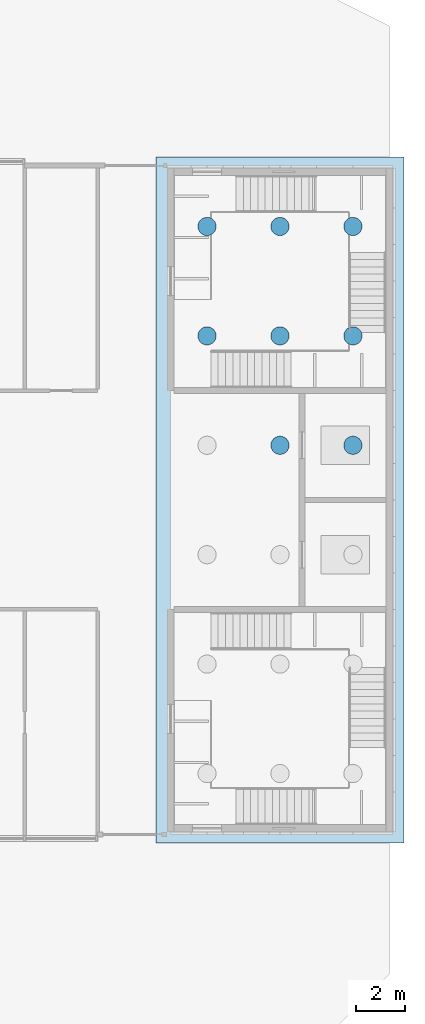
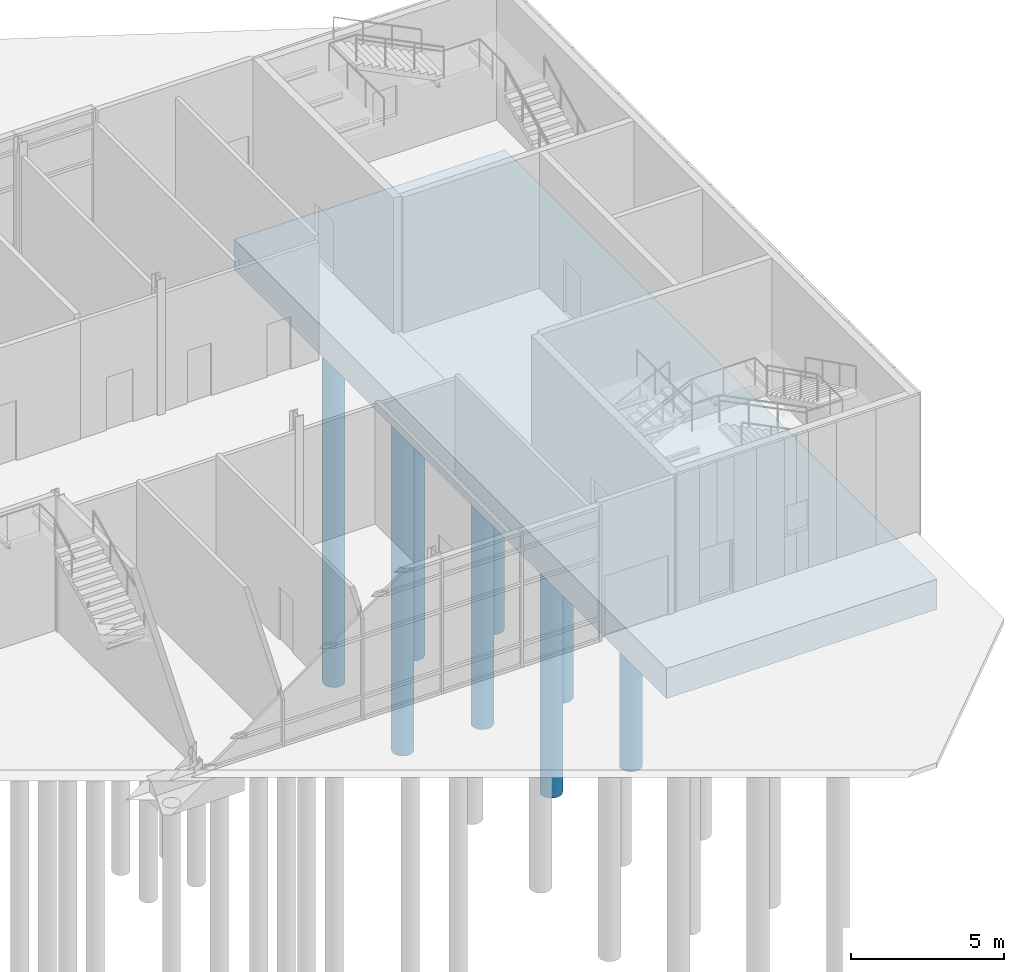
# One storey, part 3 of 45: 8 piles, 1 footing.
"""IFC4 building model written with IfcOpenShell, lengths in metres."""

from ifc_helpers import new_model, si_unit, direction, frame, origin, origin_2d, place, context, subcontext, project, spatial, rectangle, circle, extrude, material, layer, layer_set, material_profile, profile_set, type_object, element, save


model = new_model("IFC4")

# Units and contexts
model_context = context("Model", 3, precision=1e-05, world=origin(), true_north=direction((0.0, 1.0)))
body_context = subcontext(model_context, "Body", "Model", "MODEL_VIEW")
ifc_project = project(units=[si_unit("LENGTHUNIT", "METRE"), si_unit("AREAUNIT", "SQUARE_METRE"), si_unit("VOLUMEUNIT", "CUBIC_METRE"), si_unit("PLANEANGLEUNIT", "RADIAN"), si_unit("MASSUNIT", "GRAM", prefix="KILO")], contexts=[model_context])

# Site, building, storey
site_placement = place(None, origin())
site = spatial("IfcSite", under=ifc_project, at=site_placement, CompositionType="ELEMENT")
building_placement = place(site_placement, origin())
building = spatial("IfcBuilding", under=site, at=building_placement, Name="Azimuth Sports and Learning Centre", CompositionType="ELEMENT")
storey_placement = place(building_placement, origin())
storey = spatial("IfcBuildingStorey", under=building, at=storey_placement, Name="L00", CompositionType="ELEMENT", Elevation=0.0)

# Piles
ifc_material_1 = material(Name="Concrete C35/45", Category="concrete")
ifc_material_profile = material_profile(ifc_material_1, circle(Radius=0.375, at=origin_2d()), Name="BP 750")
ifc_profile_set = profile_set([ifc_material_profile], Name="Concrete C35/45")
pile_type = type_object("IfcPileType", Name="Bored pile BP 750", PredefinedType="BORED", material=ifc_profile_set)
for number, where, z_axis, x_axis, name in (
    (1, (166.5, 105.75, -3.10009765625), (0.0, 0.0, -1.0), (1.0, 0.0, 0.0), "Pile RAFT-EW 11"),
    (2, (169.5, 105.75, -3.10009765625), (0.0, 0.0, -1.0), (1.0, 0.0, 0.0), "Pile RAFT-EW 12"),
    (3, (163.5, 110.25, -3.10009765625), (0.0, 0.0, -1.0), (1.0, 0.0, 0.0), "Pile RAFT-EW 13"),
    (4, (166.5, 110.25, -3.10009765625), (0.0, 0.0, -1.0), (1.0, 0.0, 0.0), "Pile RAFT-EW 14"),
    (5, (169.5, 110.25, -3.10009765625), (0.0, 0.0, -1.0), (1.0, 0.0, 0.0), "Pile RAFT-EW 15"),
    (6, (163.5, 114.75, -3.10009765625), (0.0, 0.0, -1.0), (1.0, 0.0, 0.0), "Pile RAFT-EW 16"),
    (7, (166.5, 114.75, -3.10009765625), (0.0, 0.0, -1.0), (1.0, 0.0, 0.0), "Pile RAFT-EW 17"),
    (8, (169.5, 114.75, -3.10009765625), (0.0, 0.0, -1.0), (1.0, 0.0, 0.0), "Pile RAFT-EW 18"),
):
    element("IfcPile", number, at=place(storey_placement, frame(where, z_axis=z_axis, x_axis=x_axis)), inside=storey, type_object=pile_type, Name=name, PredefinedType="BORED", context=body_context, shape_type="SweptSolid", body=[
        extrude(circle(Radius=0.375, at=origin_2d()), origin(), (0.0, 0.0, 1.0), 15.39990234375),
    ])

# Footing
ifc_material_2 = material(Name="Concrete C35/45", Category="concrete")
ifc_layer = layer(ifc_material_2, 1.199951171875)
ifc_layer_set = layer_set([ifc_layer], Name="Concrete C35/45")
footing_type = type_object("IfcFootingType", Name="Core raft 10200x28200x1200", PredefinedType="PILE_CAP", material=ifc_layer_set)
footing_placement = place(storey_placement, frame((166.5, 103.5, -3.10009765625), z_axis=(0.0, 0.0, 1.0), x_axis=(1.0, 0.0, 0.0)))
element("IfcFooting", 9, at=footing_placement, inside=storey, type_object=footing_type, Name="Raft core EW", PredefinedType="PILE_CAP", context=body_context, shape_type="SweptSolid", body=[
    extrude(rectangle(XDim=10.199951171875, YDim=28.199951171875, at=origin_2d()), origin(), (0.0, 0.0, 1.0), 1.199951171875),
])

save(model, "model.ifc")
